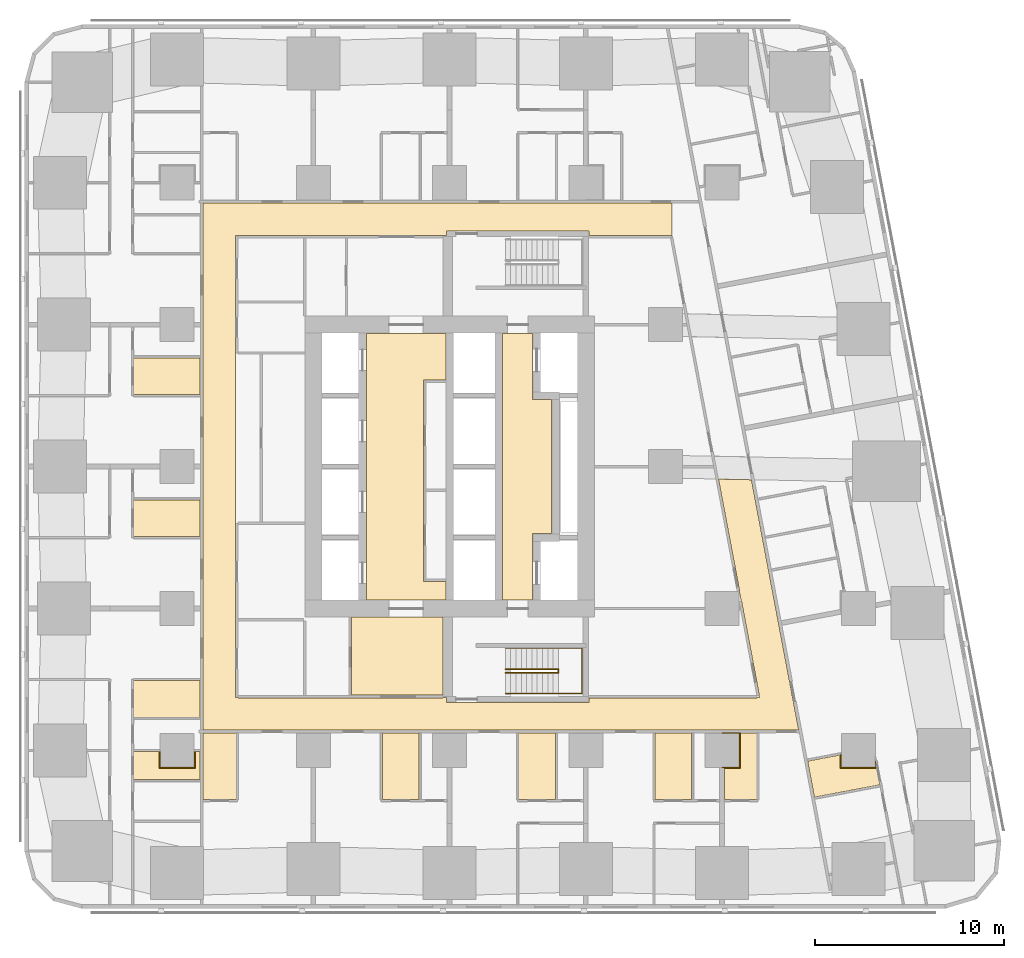
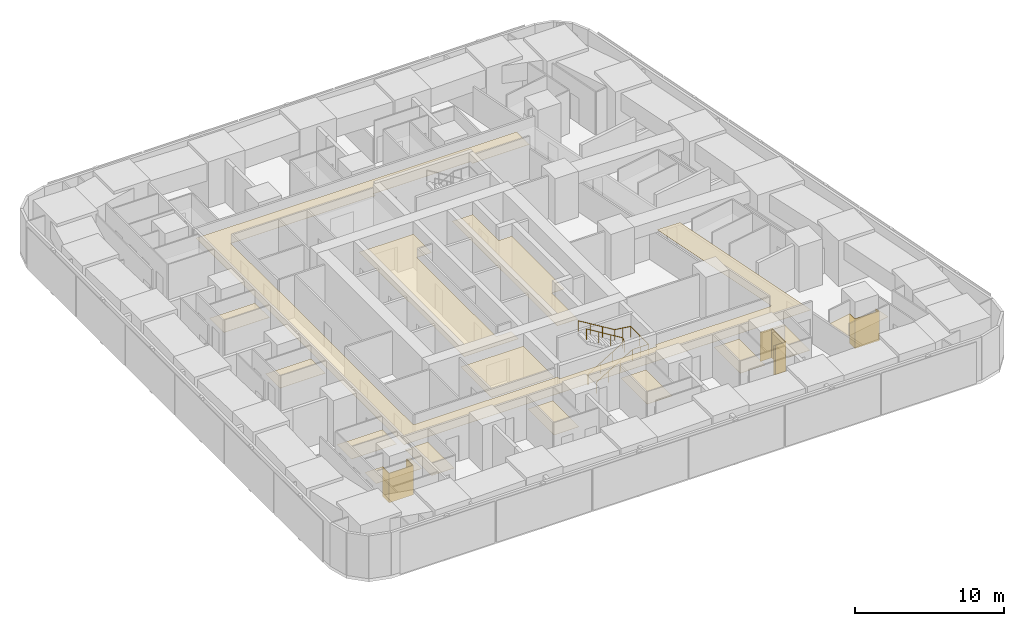
# One storey, part 13 of 15: 17 coverings, 2 railings.
"""IFC4 building model written with IfcOpenShell, lengths in metres."""

from ifc_helpers import new_model, si_unit, direction, frame, origin, origin_2d, place, context, subcontext, project, spatial, polyline, circle, outline, extrude, material, layer, layer_set, type_object, element, save


model = new_model("IFC4")

# Units and contexts
model_context = context("Model", 3, precision=1e-05, world=origin(), true_north=direction((0.0, 1.0)))
body_context = subcontext(model_context, "Body", "Model", "MODEL_VIEW")
ifc_project = project(units=[si_unit("LENGTHUNIT", "METRE"), si_unit("AREAUNIT", "SQUARE_METRE"), si_unit("VOLUMEUNIT", "CUBIC_METRE"), si_unit("PLANEANGLEUNIT", "RADIAN"), si_unit("MASSUNIT", "GRAM", prefix="KILO")], contexts=[model_context])

# Site, building, storey
site_placement = place(None, origin())
site = spatial("IfcSite", under=ifc_project, at=site_placement, CompositionType="ELEMENT")
building_placement = place(site_placement, origin())
building = spatial("IfcBuilding", under=site, at=building_placement, Name="Sheger Commons Tower", CompositionType="ELEMENT")
storey_placement = place(building_placement, frame((0.0, 0.0, 50.0)))
storey = spatial("IfcBuildingStorey", under=building, at=storey_placement, Name="L12", CompositionType="ELEMENT", Elevation=50.0)

# Railings
ifc_material_1 = material(Name="Steel handrail, black powder-coated", Category="steel")
railing_type = type_object("IfcRailingType", Name="HANDRAIL 900", PredefinedType="HANDRAIL", material=ifc_material_1)
railing_1_placement = place(storey_placement, frame((24.550048828125, 11.60009765625, 0.17041015625)))
element("IfcRailing", 1, at=railing_1_placement, inside=storey, type_object=railing_type, Name="Stair S1 handrail L12", PredefinedType="HANDRAIL", context=body_context, shape_type="SweptSolid", body=[
    extrude(circle(Radius=0.02392578125, at=origin_2d()), frame((0.0, 0.0, 0.8759765625), z_axis=(0.854169791009, 0.0, 0.51999420009), x_axis=(0.0, 1.0, 0.0)), (0.0, 0.0, 1.0), 3.278076171875),
    extrude(circle(Radius=0.02392578125, at=origin_2d()), frame((2.800048828125, 0.0, 2.58056640625), z_axis=(0.0, 0.761090297175, 0.648645943136), x_axis=(-1.0, 0.0, 0.0)), (0.0, 0.0, 1.0), 0.2626953125),
    extrude(circle(Radius=0.02392578125, at=origin_2d()), frame((2.800048828125, 0.199951171875, 2.7509765625), z_axis=(-0.854169791009, 0.0, 0.51999420009), x_axis=(0.0, -1.0, 0.0)), (0.0, 0.0, 1.0), 3.278076171875),
    extrude(circle(Radius=0.02099609375, at=origin_2d()), origin(), (0.0, 0.0, 1.0), 0.851806640625),
    extrude(circle(Radius=0.02099609375, at=origin_2d()), frame((0.933349609375, 0.0, 0.568115234375)), (0.0, 0.0, 1.0), 0.851806640625),
    extrude(circle(Radius=0.02099609375, at=origin_2d()), frame((1.86669921875, 0.0, 1.136474609375)), (0.0, 0.0, 1.0), 0.851806640625),
    extrude(circle(Radius=0.02099609375, at=origin_2d()), frame((2.800048828125, 0.0, 1.70458984375)), (0.0, 0.0, 1.0), 0.851806640625),
    extrude(circle(Radius=0.02099609375, at=origin_2d()), frame((2.800048828125, 0.199951171875, 1.875)), (0.0, 0.0, 1.0), 0.851806640625),
    extrude(circle(Radius=0.02099609375, at=origin_2d()), frame((1.86669921875, 0.199951171875, 2.443115234375)), (0.0, 0.0, 1.0), 0.851806640625),
    extrude(circle(Radius=0.02099609375, at=origin_2d()), frame((0.933349609375, 0.199951171875, 3.011474609375)), (0.0, 0.0, 1.0), 0.851806640625),
    extrude(circle(Radius=0.02099609375, at=origin_2d()), frame((0.0, 0.199951171875, 3.57958984375)), (0.0, 0.0, 1.0), 0.851806640625),
])
railing_2_placement = place(storey_placement, frame((24.550048828125, 10.5, 0.17041015625)))
element("IfcRailing", 2, at=railing_2_placement, inside=storey, type_object=railing_type, Name="Stair S1 handrail L12", PredefinedType="HANDRAIL", context=body_context, shape_type="SweptSolid", body=[
    extrude(circle(Radius=0.02392578125, at=origin_2d()), frame((0.0, 0.0, 0.8759765625), z_axis=(0.854169791009, 0.0, 0.51999420009), x_axis=(0.0, 1.0, 0.0)), (0.0, 0.0, 1.0), 3.278076171875),
    extrude(circle(Radius=0.02392578125, at=origin_2d()), frame((2.800048828125, 0.0, 2.58056640625), z_axis=(1.0, 0.0, 0.0), x_axis=(0.0, 1.0, 0.0)), (0.0, 0.0, 1.0), 1.25),
    extrude(circle(Radius=0.02392578125, at=origin_2d()), frame((4.050048828125, 0.0, 2.58056640625), z_axis=(0.0, 1.0, 0.0), x_axis=(-1.0, 0.0, 0.0)), (0.0, 0.0, 1.0), 2.39990234375),
    extrude(circle(Radius=0.02392578125, at=origin_2d()), frame((4.050048828125, 2.39990234375, 2.58056640625), z_axis=(-0.990834877927, 0.0, 0.135078661092), x_axis=(0.0, -1.0, 0.0)), (0.0, 0.0, 1.0), 1.261474609375),
    extrude(circle(Radius=0.02392578125, at=origin_2d()), frame((2.800048828125, 2.39990234375, 2.7509765625), z_axis=(-0.854169791009, 0.0, 0.51999420009), x_axis=(0.0, -1.0, 0.0)), (0.0, 0.0, 1.0), 3.278076171875),
    extrude(circle(Radius=0.02099609375, at=origin_2d()), origin(), (0.0, 0.0, 1.0), 0.851806640625),
    extrude(circle(Radius=0.02099609375, at=origin_2d()), frame((0.933349609375, 0.0, 0.568115234375)), (0.0, 0.0, 1.0), 0.851806640625),
    extrude(circle(Radius=0.02099609375, at=origin_2d()), frame((1.86669921875, 0.0, 1.136474609375)), (0.0, 0.0, 1.0), 0.851806640625),
    extrude(circle(Radius=0.02099609375, at=origin_2d()), frame((2.800048828125, 0.0, 1.70458984375)), (0.0, 0.0, 1.0), 0.851806640625),
    extrude(circle(Radius=0.02099609375, at=origin_2d()), frame((3.425048828125, 0.0, 1.70458984375)), (0.0, 0.0, 1.0), 0.851806640625),
    extrude(circle(Radius=0.02099609375, at=origin_2d()), frame((4.050048828125, 0.0, 1.70458984375)), (0.0, 0.0, 1.0), 0.851806640625),
    extrude(circle(Radius=0.02099609375, at=origin_2d()), frame((4.050048828125, 1.199951171875, 1.70458984375)), (0.0, 0.0, 1.0), 0.851806640625),
    extrude(circle(Radius=0.02099609375, at=origin_2d()), frame((4.050048828125, 2.39990234375, 1.70458984375)), (0.0, 0.0, 1.0), 0.851806640625),
    extrude(circle(Radius=0.02099609375, at=origin_2d()), frame((3.425048828125, 2.39990234375, 1.789794921875)), (0.0, 0.0, 1.0), 0.851806640625),
    extrude(circle(Radius=0.02099609375, at=origin_2d()), frame((2.800048828125, 2.39990234375, 1.875)), (0.0, 0.0, 1.0), 0.851806640625),
    extrude(circle(Radius=0.02099609375, at=origin_2d()), frame((1.86669921875, 2.39990234375, 2.443115234375)), (0.0, 0.0, 1.0), 0.851806640625),
    extrude(circle(Radius=0.02099609375, at=origin_2d()), frame((0.933349609375, 2.39990234375, 3.011474609375)), (0.0, 0.0, 1.0), 0.851806640625),
    extrude(circle(Radius=0.02099609375, at=origin_2d()), frame((0.0, 2.39990234375, 3.57958984375)), (0.0, 0.0, 1.0), 0.851806640625),
])

# Coverings
ifc_material_2 = material(Name="Moisture-resistant gypsum plasterboard 15 mm on a suspended galvanised steel grid", Category="steel")
ifc_layer_1 = layer(ifc_material_2, 0.014892578125)
ifc_layer_set_1 = layer_set([ifc_layer_1], Name="MOISTURE-RESISTANT CEILING 15")
covering_type_1 = type_object("IfcCoveringType", Name="MOISTURE-RESISTANT CEILING 15", PredefinedType="CEILING", material=ifc_layer_set_1)
covering_1_placement = place(storey_placement, frame((0.0, 0.0, 2.39990234375)))
element("IfcCovering", 3, at=covering_1_placement, inside=storey, type_object=covering_type_1, Name="L12-01.B1 ceiling", PredefinedType="CEILING", context=body_context, shape_type="SweptSolid", body=[
    extrude(outline(polyline([(4.905029296875, 9.2548828125), (8.419921875, 9.2548828125), (8.419921875, 11.195068359375), (4.905029296875, 11.195068359375), (4.905029296875, 9.2548828125)])), origin(), (0.0, 0.0, 1.0), 0.01513671875),
])
covering_2_placement = place(storey_placement, frame((0.0, 0.0, 2.39990234375)))
element("IfcCovering", 4, at=covering_2_placement, inside=storey, type_object=covering_type_1, Name="L12-01.B2 ceiling", PredefinedType="CEILING", context=body_context, shape_type="SweptSolid", body=[
    extrude(outline(polyline([(4.905029296875, 5.955078125), (8.419921875, 5.955078125), (8.419921875, 7.445068359375), (8.10498046875, 7.445068359375), (8.10498046875, 6.594970703125), (6.294921875, 6.594970703125), (6.294921875, 7.445068359375), (4.905029296875, 7.445068359375), (4.905029296875, 5.955078125)])), origin(), (0.0, 0.0, 1.0), 0.01513671875),
])
covering_3_placement = place(storey_placement, frame((0.0, 0.0, 2.39990234375)))
element("IfcCovering", 5, at=covering_3_placement, inside=storey, type_object=covering_type_1, Name="L12-02.B1 ceiling", PredefinedType="CEILING", context=body_context, shape_type="SweptSolid", body=[
    extrude(outline(polyline([(4.905029296875, 18.804931640625), (8.419921875, 18.804931640625), (8.419921875, 20.7451171875), (4.905029296875, 20.7451171875), (4.905029296875, 18.804931640625)])), origin(), (0.0, 0.0, 1.0), 0.01513671875),
])
covering_4_placement = place(storey_placement, frame((0.0, 0.0, 2.39990234375)))
element("IfcCovering", 6, at=covering_4_placement, inside=storey, type_object=covering_type_1, Name="L12-03.B1 ceiling", PredefinedType="CEILING", context=body_context, shape_type="SweptSolid", body=[
    extrude(outline(polyline([(4.905029296875, 26.304931640625), (8.419921875, 26.304931640625), (8.419921875, 28.2451171875), (4.905029296875, 28.2451171875), (4.905029296875, 26.304931640625)])), origin(), (0.0, 0.0, 1.0), 0.01513671875),
])
covering_5_placement = place(storey_placement, frame((0.0, 0.0, 2.39990234375)))
element("IfcCovering", 7, at=covering_5_placement, inside=storey, type_object=covering_type_1, Name="L12-05.B1 ceiling", PredefinedType="CEILING", context=body_context, shape_type="SweptSolid", body=[
    extrude(outline(polyline([(8.580078125, 4.905029296875), (10.3349609375, 4.905029296875), (10.3349609375, 8.419921875), (8.580078125, 8.419921875), (8.580078125, 4.905029296875)])), origin(), (0.0, 0.0, 1.0), 0.01513671875),
])
covering_6_placement = place(storey_placement, frame((0.0, 0.0, 2.39990234375)))
element("IfcCovering", 8, at=covering_6_placement, inside=storey, type_object=covering_type_1, Name="L12-06.B1 ceiling", PredefinedType="CEILING", context=body_context, shape_type="SweptSolid", body=[
    extrude(outline(polyline([(18.054931640625, 4.905029296875), (19.9951171875, 4.905029296875), (19.9951171875, 8.419921875), (18.054931640625, 8.419921875), (18.054931640625, 4.905029296875)])), origin(), (0.0, 0.0, 1.0), 0.01513671875),
])
covering_7_placement = place(storey_placement, frame((0.0, 0.0, 2.39990234375)))
element("IfcCovering", 9, at=covering_7_placement, inside=storey, type_object=covering_type_1, Name="L12-07.B1 ceiling", PredefinedType="CEILING", context=body_context, shape_type="SweptSolid", body=[
    extrude(outline(polyline([(25.2548828125, 4.905029296875), (27.195068359375, 4.905029296875), (27.195068359375, 8.419921875), (25.2548828125, 8.419921875), (25.2548828125, 4.905029296875)])), origin(), (0.0, 0.0, 1.0), 0.01513671875),
])
covering_8_placement = place(storey_placement, frame((0.0, 0.0, 2.39990234375)))
element("IfcCovering", 10, at=covering_8_placement, inside=storey, type_object=covering_type_1, Name="L12-08.B1 ceiling", PredefinedType="CEILING", context=body_context, shape_type="SweptSolid", body=[
    extrude(outline(polyline([(32.455078125, 4.905029296875), (34.39501953125, 4.905029296875), (34.39501953125, 8.419921875), (32.455078125, 8.419921875), (32.455078125, 4.905029296875)])), origin(), (0.0, 0.0, 1.0), 0.01513671875),
])
covering_9_placement = place(storey_placement, frame((0.0, 0.0, 2.39990234375)))
element("IfcCovering", 11, at=covering_9_placement, inside=storey, type_object=covering_type_1, Name="L12-09.B1 ceiling", PredefinedType="CEILING", context=body_context, shape_type="SweptSolid", body=[
    extrude(outline(polyline([(36.1298828125, 4.905029296875), (37.8349609375, 4.905029296875), (37.8349609375, 8.419921875), (36.0, 8.419921875), (36.0, 8.405029296875), (36.905029296875, 8.405029296875), (36.905029296875, 6.594970703125), (36.1298828125, 6.594970703125), (36.1298828125, 4.905029296875)])), origin(), (0.0, 0.0, 1.0), 0.01513671875),
])
covering_10_placement = place(storey_placement, frame((0.0, 0.0, 2.39990234375)))
element("IfcCovering", 12, at=covering_10_placement, inside=storey, type_object=covering_type_1, Name="L12-13.B1 ceiling", PredefinedType="CEILING", context=body_context, shape_type="SweptSolid", body=[
    extrude(outline(polyline([(40.881103515625, 5.031982421875), (44.333984375, 5.68408203125), (44.10693359375, 6.885009765625), (44.10498046875, 6.885009765625), (44.10498046875, 6.594970703125), (42.294921875, 6.594970703125), (42.294921875, 7.27294921875), (40.52099609375, 6.93798828125), (40.881103515625, 5.031982421875)])), origin(), (0.0, 0.0, 1.0), 0.01513671875),
])
ifc_material_3 = material(Name="Gypsum plasterboard 15 mm on a suspended steel grid", Category="steel")
ifc_layer_2 = layer(ifc_material_3, 0.014892578125)
ifc_layer_set_2 = layer_set([ifc_layer_2], Name="SUSPENDED CEILING 15")
covering_type_2 = type_object("IfcCoveringType", Name="SUSPENDED CEILING 15", PredefinedType="CEILING", material=ifc_layer_set_2)
covering_11_placement = place(storey_placement, frame((0.0, 0.0, 2.699951171875)))
element("IfcCovering", 13, at=covering_11_placement, inside=storey, type_object=covering_type_2, Name="L12-CO ceiling", PredefinedType="CEILING", context=body_context, shape_type="SweptSolid", body=[
    extrude(outline(polyline([(8.580078125, 8.580078125), (40.048095703125, 8.580078125), (37.551025390625, 21.802978515625), (35.81103515625, 21.837890625), (36.927978515625, 15.9208984375), (36.910888671875, 15.9169921875), (37.010009765625, 15.39501953125), (37.027099609375, 15.39794921875), (37.967041015625, 10.4208984375), (37.949951171875, 10.4169921875), (37.971923828125, 10.300048828125), (37.841064453125, 10.300048828125), (37.841064453125, 10.281982421875), (28.955078125, 10.281982421875), (28.955078125, 10.044921875), (21.445068359375, 10.044921875), (21.445068359375, 10.300048828125), (21.2548828125, 10.300048828125), (21.2548828125, 10.281982421875), (10.407958984375, 10.281982421875), (10.407958984375, 10.294921875), (10.281982421875, 10.294921875), (10.281982421875, 19.5048828125), (10.300048828125, 19.5048828125), (10.300048828125, 28.4951171875), (10.281982421875, 28.4951171875), (10.281982421875, 34.705078125), (10.407958984375, 34.705078125), (10.407958984375, 34.718017578125), (21.2548828125, 34.718017578125), (21.2548828125, 34.699951171875), (21.445068359375, 34.699951171875), (21.445068359375, 34.955078125), (28.955078125, 34.955078125), (28.955078125, 34.718017578125), (33.3359375, 34.718017578125), (33.3359375, 34.699951171875), (33.361083984375, 34.699951171875), (33.361083984375, 36.419921875), (8.580078125, 36.419921875), (8.580078125, 8.580078125)])), origin(), (0.0, 0.0, 1.0), 0.01513671875),
])
covering_12_placement = place(storey_placement, frame((0.0, 0.0, 2.699951171875)))
element("IfcCovering", 14, at=covering_12_placement, inside=storey, type_object=covering_type_2, Name="L12-SVS1 ceiling", PredefinedType="CEILING", context=body_context, shape_type="SweptSolid", body=[
    extrude(outline(polyline([(16.406982421875, 10.41796875), (21.2451171875, 10.41796875), (21.2451171875, 14.544921875), (16.406982421875, 14.544921875), (16.406982421875, 10.41796875)])), origin(), (0.0, 0.0, 1.0), 0.01513671875),
])
covering_13_placement = place(storey_placement, frame((0.0, 0.0, 2.699951171875)))
element("IfcCovering", 15, at=covering_13_placement, inside=storey, type_object=covering_type_2, Name="L12-LL ceiling", PredefinedType="CEILING", context=body_context, shape_type="SweptSolid", body=[
    extrude(outline(polyline([(17.205078125, 15.455078125), (21.39990234375, 15.455078125), (21.39990234375, 16.43310546875), (20.35791015625, 16.43310546875), (20.23291015625, 16.43310546875), (20.23291015625, 27.06689453125), (20.35791015625, 27.06689453125), (21.39990234375, 27.06689453125), (21.39990234375, 29.544921875), (17.205078125, 29.544921875), (17.205078125, 15.455078125)])), origin(), (0.0, 0.0, 1.0), 0.01513671875),
])
covering_14_placement = place(storey_placement, frame((0.0, 0.0, 2.699951171875)))
element("IfcCovering", 16, at=covering_14_placement, inside=storey, type_object=covering_type_2, Name="L12-FL ceiling", PredefinedType="CEILING", context=body_context, shape_type="SweptSolid", body=[
    extrude(outline(polyline([(24.405029296875, 15.455078125), (25.9951171875, 15.455078125), (25.9951171875, 18.955078125), (26.9951171875, 18.955078125), (26.9951171875, 26.044921875), (25.9951171875, 26.044921875), (25.9951171875, 29.544921875), (24.405029296875, 29.544921875), (24.405029296875, 15.455078125)])), origin(), (0.0, 0.0, 1.0), 0.01513671875),
])
ifc_material_4 = material(Name="Moisture-resistant gypsum board 12.5 mm on 25 mm treated timber battens, tanked and tiled", Category="wood")
ifc_layer_3 = layer(ifc_material_4, 0.050048828125)
ifc_layer_set_3 = layer_set([ifc_layer_3], Name="WET-ROOM COLUMN LINING")
covering_type_3 = type_object("IfcCoveringType", Name="WET-ROOM COLUMN LINING", PredefinedType="CLADDING", material=ifc_layer_set_3)
covering_15_placement = place(storey_placement, origin())
element("IfcCovering", 17, at=covering_15_placement, inside=storey, type_object=covering_type_3, Name="Shower room column lining C8 L12", PredefinedType="CLADDING", context=body_context, shape_type="SweptSolid", body=[
    extrude(outline(polyline([(6.300048828125, 7.5), (6.300048828125, 6.60009765625), (8.10009765625, 6.60009765625), (8.10009765625, 7.5), (8.10107421875, 7.5), (8.10107421875, 7.449951171875), (8.14990234375, 7.449951171875), (8.14990234375, 6.550048828125), (6.25, 6.550048828125), (6.25, 7.449951171875), (6.299072265625, 7.449951171875), (6.299072265625, 7.5), (6.300048828125, 7.5)])), origin(), (0.0, 0.0, 1.0), 2.39990234375),
])
covering_16_placement = place(storey_placement, origin())
element("IfcCovering", 18, at=covering_16_placement, inside=storey, type_object=covering_type_3, Name="Shower room column lining C8 L12", PredefinedType="CLADDING", context=body_context, shape_type="SweptSolid", body=[
    extrude(outline(polyline([(36.949951171875, 6.550048828125), (36.125, 6.550048828125), (36.125, 6.59912109375), (36.0, 6.59912109375), (36.0, 6.60009765625), (36.89990234375, 6.60009765625), (36.89990234375, 8.39990234375), (36.0, 8.39990234375), (36.0, 8.425048828125), (36.949951171875, 8.425048828125), (36.949951171875, 6.550048828125)])), origin(), (0.0, 0.0, 1.0), 2.39990234375),
])
covering_17_placement = place(storey_placement, origin())
element("IfcCovering", 19, at=covering_17_placement, inside=storey, type_object=covering_type_3, Name="Bathroom column lining C8 L12", PredefinedType="CLADDING", context=body_context, shape_type="SweptSolid", body=[
    extrude(outline(polyline([(42.300048828125, 7.3310546875), (42.300048828125, 6.60009765625), (44.10009765625, 6.60009765625), (44.10009765625, 6.949951171875), (44.14990234375, 6.68603515625), (44.14990234375, 6.550048828125), (42.25, 6.550048828125), (42.25, 7.27001953125), (42.299072265625, 7.279052734375), (42.2900390625, 7.3291015625), (42.300048828125, 7.3310546875)])), origin(), (0.0, 0.0, 1.0), 2.39990234375),
])

save(model, "model.ifc")
